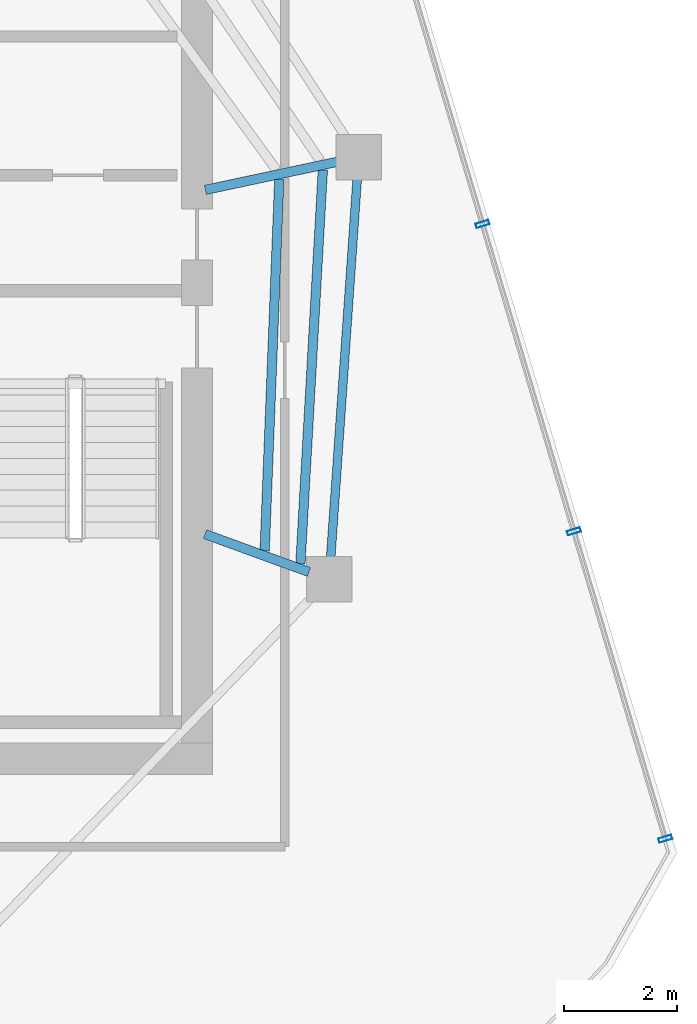
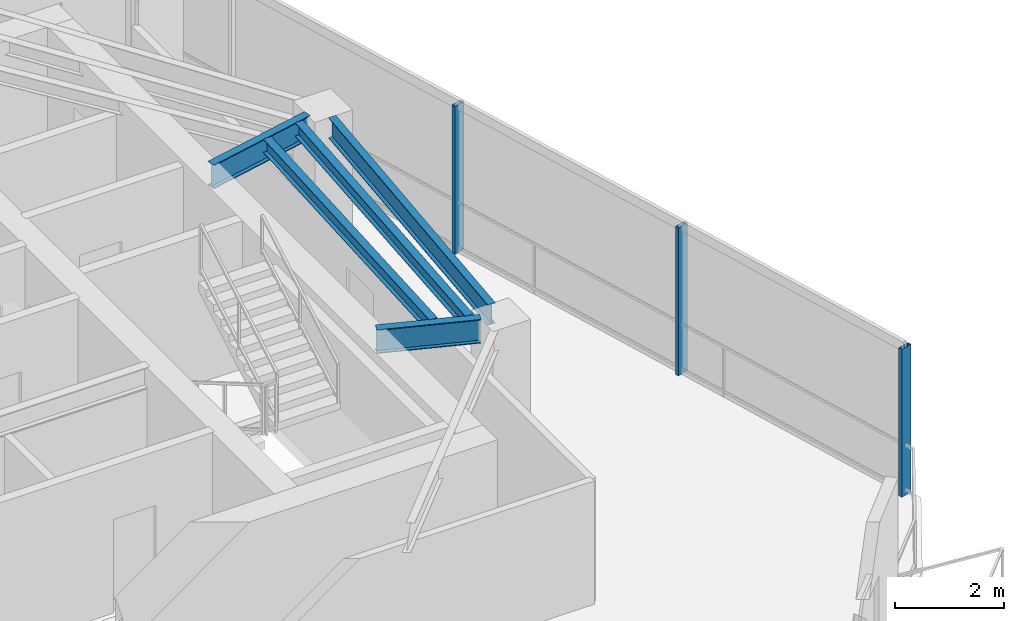
# One storey, part 10 of 18: 5 beams, 3 members, 1 element without a shape of its own.
"""IFC4 building model written with IfcOpenShell, lengths in metres."""

from ifc_helpers import new_model, si_unit, direction, frame, origin, origin_2d, place, context, subcontext, project, spatial, hollow_rectangle, i_section, extrude, material, layer, layer_set, material_profile, profile_set, type_object, element, aggregate, save


model = new_model("IFC4")

# Units and contexts
model_context = context("Model", 3, precision=1e-05, world=origin(), true_north=direction((0.0, 1.0)))
body_context = subcontext(model_context, "Body", "Model", "MODEL_VIEW")
ifc_project = project(units=[si_unit("LENGTHUNIT", "METRE"), si_unit("AREAUNIT", "SQUARE_METRE"), si_unit("VOLUMEUNIT", "CUBIC_METRE"), si_unit("PLANEANGLEUNIT", "RADIAN"), si_unit("MASSUNIT", "GRAM", prefix="KILO")], contexts=[model_context])

# Site, building, storey
site_placement = place(None, origin())
site = spatial("IfcSite", under=ifc_project, at=site_placement, CompositionType="ELEMENT")
building_placement = place(site_placement, origin())
building = spatial("IfcBuilding", under=site, at=building_placement, Name="Qarnah Convention Tower", CompositionType="ELEMENT")
storey_placement = place(building_placement, frame((0.0, 0.0, 242.699951171875)))
storey = spatial("IfcBuildingStorey", under=building, at=storey_placement, Name="L65", CompositionType="ELEMENT", Elevation=242.699951171875)

# Beams
ifc_material_1 = material(Name="Structural steel S355JR", Category="steel")
ifc_material_profile_1 = material_profile(ifc_material_1, i_section(OverallWidth=0.166015625, OverallDepth=0.31201171875, WebThickness=0.007080078125, FlangeThickness=0.010986328125, at=origin_2d()), Name="W310X45")
ifc_profile_set_1 = profile_set([ifc_material_profile_1], Name="Structural steel S355JR")
beam_type_1 = type_object("IfcBeamType", Name="BM-JST-W310", PredefinedType="JOIST", material=ifc_profile_set_1)
beam_1_placement = place(storey_placement, frame((49.425048828125, 22.04296875, 3.1640625), z_axis=(0.056885989552, 0.998380680999, 0.0), x_axis=(-0.998380680999, 0.056885989552, 0.0)))
element("IfcBeam", 1, at=beam_1_placement, inside=storey, type_object=beam_type_1, Name="L65 joist BM-L65-SJST-09", PredefinedType="JOIST", context=body_context, shape_type="SweptSolid", body=[
    extrude(i_section(OverallWidth=0.166015625, OverallDepth=0.31201171875, WebThickness=0.007080078125, FlangeThickness=0.010986328125, at=origin_2d()), origin(), (0.0, 0.0, 1.0), 6.961181640625),
])
beam_2_placement = place(storey_placement, frame((48.7939453125, 22.27197265625, 3.1640625), z_axis=(0.039318838444, 0.999226715487, 0.0), x_axis=(-0.999226715487, 0.039318838444, 0.0)))
element("IfcBeam", 2, at=beam_2_placement, inside=storey, type_object=beam_type_1, Name="L65 joist BM-L65-IJST-09", PredefinedType="JOIST", context=body_context, shape_type="SweptSolid", body=[
    extrude(i_section(OverallWidth=0.166015625, OverallDepth=0.31201171875, WebThickness=0.007080078125, FlangeThickness=0.010986328125, at=origin_2d()), origin(), (0.0, 0.0, 1.0), 6.563232421875),
])
ifc_material_profile_2 = material_profile(ifc_material_1, i_section(OverallWidth=0.166015625, OverallDepth=0.535888671875, WebThickness=0.010009765625, FlangeThickness=0.01708984375, at=origin_2d()), Name="W530X85")
ifc_profile_set_2 = profile_set([ifc_material_profile_2], Name="Structural steel S355JR")
beam_type_2 = type_object("IfcBeamType", Name="BM-RAD-W530B", PredefinedType="BEAM", material=ifc_profile_set_2)
beam_3_placement = place(storey_placement, frame((47.7470703125, 28.64111328125, 3.052001953125), z_axis=(0.978103714349, 0.20811805298, 0.0), x_axis=(-0.20811805298, 0.978103714349, 0.0)))
element("IfcBeam", 3, at=beam_3_placement, inside=storey, type_object=beam_type_2, Name="L65 beam BM-L65-RAD-01", PredefinedType="BEAM", context=body_context, shape_type="SweptSolid", body=[
    extrude(i_section(OverallWidth=0.166015625, OverallDepth=0.535888671875, WebThickness=0.010009765625, FlangeThickness=0.01708984375, at=origin_2d()), origin(), (0.0, 0.0, 1.0), 2.38720703125),
])
beam_4_placement = place(storey_placement, frame((47.740966796875, 22.56396484375, 3.052001953125), z_axis=(0.93967655832, -0.342064271363, 0.0), x_axis=(0.342064271363, 0.93967655832, 0.0)))
element("IfcBeam", 4, at=beam_4_placement, inside=storey, type_object=beam_type_2, Name="L65 beam BM-L65-RAD-09", PredefinedType="BEAM", context=body_context, shape_type="SweptSolid", body=[
    extrude(i_section(OverallWidth=0.166015625, OverallDepth=0.535888671875, WebThickness=0.010009765625, FlangeThickness=0.01708984375, at=origin_2d()), origin(), (0.0, 0.0, 1.0), 1.95263671875),
])
ifc_material_profile_3 = material_profile(ifc_material_1, i_section(OverallWidth=0.154052734375, OverallDepth=0.4599609375, WebThickness=0.009033203125, FlangeThickness=0.014892578125, at=origin_2d()), Name="W460X68")
ifc_profile_set_3 = profile_set([ifc_material_profile_3], Name="Structural steel S355JR")
beam_type_3 = type_object("IfcBeamType", Name="BM-SPN-W460B", PredefinedType="SPANDREL", material=ifc_profile_set_3)
beam_5_placement = place(storey_placement, frame((49.9599609375, 22.155029296875, 3.090087890625), z_axis=(0.069820410922, 0.997559577278, 0.0), x_axis=(-0.997559577278, 0.069820410922, 0.0)))
element("IfcBeam", 5, at=beam_5_placement, inside=storey, type_object=beam_type_3, Name="L65 spandrel BM-L65-SPN-09", PredefinedType="SPANDREL", context=body_context, shape_type="SweptSolid", body=[
    extrude(i_section(OverallWidth=0.154052734375, OverallDepth=0.4599609375, WebThickness=0.009033203125, FlangeThickness=0.014892578125, at=origin_2d()), origin(), (0.0, 0.0, 1.0), 6.689208984375),
])

# Curtain wall, members
ifc_material_2 = material(Name="Tempered Low-E dark glass", Category="glass")
ifc_layer = layer(ifc_material_2, 0.176025390625)
ifc_layer_set = layer_set([ifc_layer], Name="Tempered Low-E dark glass")
curtain_wall_type = type_object("IfcCurtainWallType", Name="CWS-05", PredefinedType="NOTDEFINED", material=ifc_layer_set)
curtain_wall_placement = place(storey_placement, origin())
curtain_wall = element("IfcCurtainWall", 6, at=curtain_wall_placement, inside=storey, type_object=curtain_wall_type, Name="L65 unitised curtain wall CW-L65-F2", PredefinedType="NOTDEFINED")
ifc_material_3 = material(Name="Black anodised aluminium", Category="aluminium")
ifc_material_profile_4 = material_profile(ifc_material_3, hollow_rectangle(XDim=0.080078125, YDim=0.239990234375, WallThickness=0.0048828125, at=origin_2d()), Name="MUL-80X240")
ifc_profile_set_4 = profile_set([ifc_material_profile_4], Name="Black anodised aluminium")
member_type = type_object("IfcMemberType", Name="MUL-T5", PredefinedType="MULLION", material=ifc_profile_set_4)
member_1_placement = place(storey_placement, frame((52.64013671875, 28.03857421875, 0.0), z_axis=(0.0, 0.0, 1.0), x_axis=(0.285022909469, -0.958520704564, 0.0)))
member_1 = element("IfcMember", 7, at=member_1_placement, type_object=member_type, Name="CW-L65-F2 mullion 4", PredefinedType="MULLION", context=body_context, shape_type="SweptSolid", body=[
    extrude(hollow_rectangle(XDim=0.080078125, YDim=0.239990234375, WallThickness=0.0048828125, at=origin_2d()), origin(), (0.0, 0.0, 1.0), 3.320068359375),
])
member_2_placement = place(storey_placement, frame((54.253662109375, 22.61279296875, 0.0), z_axis=(0.0, 0.0, 1.0), x_axis=(0.285022909469, -0.958520704564, 0.0)))
member_2 = element("IfcMember", 8, at=member_2_placement, type_object=member_type, Name="CW-L65-F2 mullion 5", PredefinedType="MULLION", context=body_context, shape_type="SweptSolid", body=[
    extrude(hollow_rectangle(XDim=0.080078125, YDim=0.239990234375, WallThickness=0.0048828125, at=origin_2d()), origin(), (0.0, 0.0, 1.0), 3.320068359375),
])
member_3_placement = place(storey_placement, frame((55.866943359375, 17.18701171875, 0.0), z_axis=(0.0, 0.0, 1.0), x_axis=(0.285022909469, -0.958520704564, 0.0)))
member_3 = element("IfcMember", 9, at=member_3_placement, type_object=member_type, Name="CW-L65-F2 mullion 6", PredefinedType="MULLION", context=body_context, shape_type="SweptSolid", body=[
    extrude(hollow_rectangle(XDim=0.080078125, YDim=0.239990234375, WallThickness=0.0048828125, at=origin_2d()), origin(), (0.0, 0.0, 1.0), 3.320068359375),
])
aggregate(curtain_wall, [member_1, member_2, member_3])

save(model, "model.ifc")
